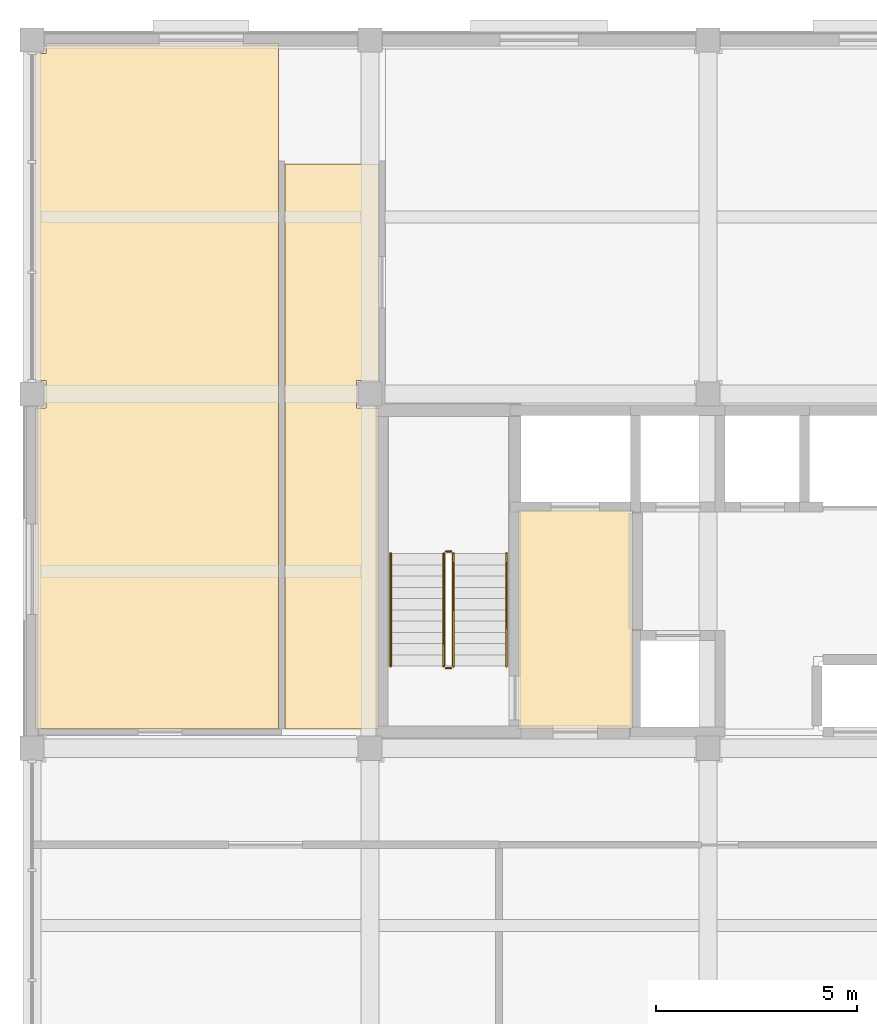
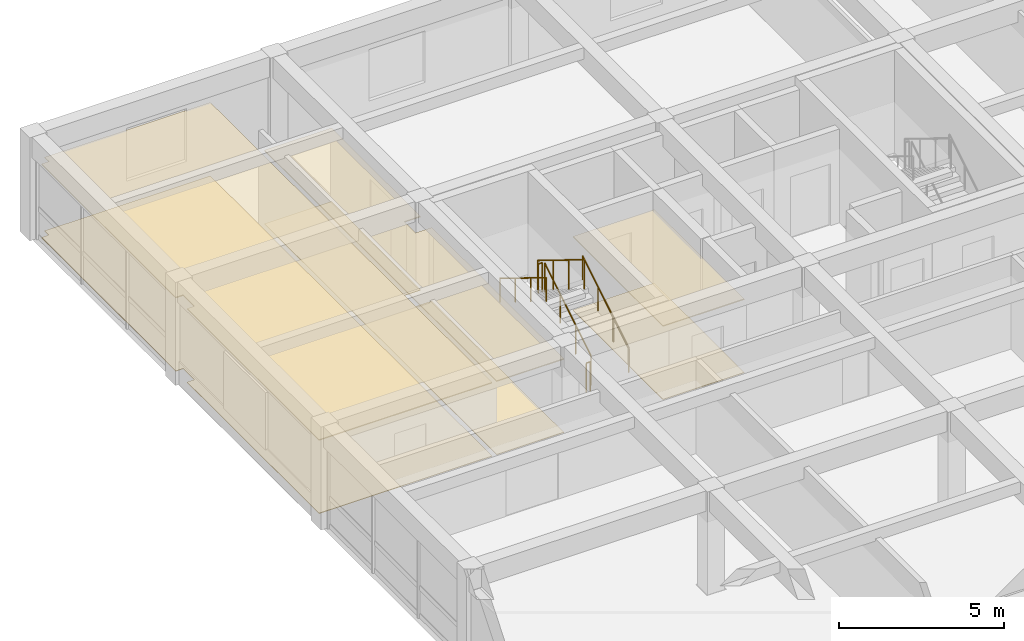
# One storey, part 10 of 12: 6 coverings, 6 railings.
"""IFC4 building model written with IfcOpenShell, lengths in metres."""

from ifc_helpers import new_model, si_unit, direction, frame, origin, origin_2d, place, context, subcontext, project, spatial, polyline, circle, outline, extrude, material, layer, layer_set, type_object, element, save


model = new_model("IFC4")

# Units and contexts
model_context = context("Model", 3, precision=1e-05, world=origin(), true_north=direction((0.0, 1.0)))
body_context = subcontext(model_context, "Body", "Model", "MODEL_VIEW")
ifc_project = project(units=[si_unit("LENGTHUNIT", "METRE"), si_unit("AREAUNIT", "SQUARE_METRE"), si_unit("VOLUMEUNIT", "CUBIC_METRE"), si_unit("PLANEANGLEUNIT", "RADIAN"), si_unit("MASSUNIT", "GRAM", prefix="KILO")], contexts=[model_context])

# Site, building, storey
site_placement = place(None, origin())
site = spatial("IfcSite", under=ifc_project, at=site_placement, CompositionType="ELEMENT")
building_placement = place(site_placement, origin())
building = spatial("IfcBuilding", under=site, at=building_placement, Name="Kemercrest Conservatory and Botanical Centre", CompositionType="ELEMENT")
storey_placement = place(building_placement, frame((0.0, 0.0, 52.199951171875)))
storey = spatial("IfcBuildingStorey", under=building, at=storey_placement, Name="L13", CompositionType="ELEMENT", Elevation=52.199951171875)

# Coverings
ifc_material_1 = material(Name="Perforated acoustic gypsum and mineral-fibre suspended ceiling", Category="gypsum")
ifc_layer_1 = layer(ifc_material_1, 0.034912109375)
ifc_layer_set_1 = layer_set([ifc_layer_1], Name="Perforated acoustic gypsum and mineral-fibre suspended ceiling")
covering_type_1 = type_object("IfcCoveringType", Name="CV-CLG035", PredefinedType="CEILING", material=ifc_layer_set_1)
covering_1_placement = place(storey_placement, frame((0.0, 0.0, 2.699951171875)))
element("IfcCovering", 1, at=covering_1_placement, inside=storey, type_object=covering_type_1, Name="Firefighting Lobby suspended acoustic ceiling", PredefinedType="CEILING", context=body_context, shape_type="SweptSolid", body=[
    extrude(outline(polyline([(154.47998046875, 105.280029296875), (157.320068359375, 105.280029296875), (157.320068359375, 110.719970703125), (154.47998046875, 110.719970703125), (154.47998046875, 105.280029296875)])), origin(), (0.0, 0.0, 1.0), 0.03515625),
])
covering_2_placement = place(storey_placement, frame((0.0, 0.0, 2.699951171875)))
element("IfcCovering", 2, at=covering_2_placement, inside=storey, type_object=covering_type_1, Name="Visiting Fellow Office suspended acoustic ceiling", PredefinedType="CEILING", context=body_context, shape_type="SweptSolid", body=[
    extrude(outline(polyline([(142.47998046875, 105.280029296875), (148.52001953125, 105.280029296875), (148.52001953125, 122.320068359375), (142.739990234375, 122.320068359375), (142.739990234375, 122.06005859375), (142.47998046875, 122.06005859375), (142.47998046875, 113.93994140625), (142.739990234375, 113.93994140625), (142.739990234375, 113.260009765625), (142.47998046875, 113.260009765625), (142.47998046875, 105.280029296875)])), origin(), (0.0, 0.0, 1.0), 0.03515625),
])
covering_3_placement = place(storey_placement, frame((0.0, 0.0, 2.699951171875)))
element("IfcCovering", 3, at=covering_3_placement, inside=storey, type_object=covering_type_1, Name="North Core Lobby Branch suspended acoustic ceiling", PredefinedType="CEILING", context=body_context, shape_type="SweptSolid", body=[
    extrude(outline(polyline([(148.679931640625, 105.280029296875), (151.02001953125, 105.280029296875), (151.02001953125, 113.260009765625), (150.4599609375, 113.260009765625), (150.4599609375, 113.93994140625), (151.02001953125, 113.93994140625), (151.02001953125, 119.320068359375), (148.679931640625, 119.320068359375), (148.679931640625, 105.280029296875)])), origin(), (0.0, 0.0, 1.0), 0.03515625),
])
ifc_material_2 = material(Name="Polished limestone terrazzo and seamless laboratory epoxy flooring", Category="masonry")
ifc_layer_2 = layer(ifc_material_2, 0.02001953125)
ifc_layer_set_2 = layer_set([ifc_layer_2], Name="Polished limestone terrazzo and seamless laboratory epoxy flooring")
covering_type_2 = type_object("IfcCoveringType", Name="CV-FLR020", PredefinedType="FLOORING", material=ifc_layer_set_2)
covering_4_placement = place(storey_placement, origin())
element("IfcCovering", 4, at=covering_4_placement, inside=storey, type_object=covering_type_2, Name="Firefighting Lobby floor finish", PredefinedType="FLOORING", context=body_context, shape_type="SweptSolid", body=[
    extrude(outline(polyline([(154.47998046875, 105.280029296875), (157.320068359375, 105.280029296875), (157.320068359375, 110.719970703125), (154.47998046875, 110.719970703125), (154.47998046875, 105.280029296875)])), origin(), (0.0, 0.0, 1.0), 0.02001953125),
])
covering_5_placement = place(storey_placement, origin())
element("IfcCovering", 5, at=covering_5_placement, inside=storey, type_object=covering_type_2, Name="Visiting Fellow Office floor finish", PredefinedType="FLOORING", context=body_context, shape_type="SweptSolid", body=[
    extrude(outline(polyline([(142.47998046875, 105.280029296875), (148.52001953125, 105.280029296875), (148.52001953125, 122.320068359375), (142.739990234375, 122.320068359375), (142.739990234375, 122.06005859375), (142.47998046875, 122.06005859375), (142.47998046875, 113.93994140625), (142.739990234375, 113.93994140625), (142.739990234375, 113.260009765625), (142.47998046875, 113.260009765625), (142.47998046875, 105.280029296875)])), origin(), (0.0, 0.0, 1.0), 0.02001953125),
])
covering_6_placement = place(storey_placement, origin())
element("IfcCovering", 6, at=covering_6_placement, inside=storey, type_object=covering_type_2, Name="North Core Lobby Branch floor finish", PredefinedType="FLOORING", context=body_context, shape_type="SweptSolid", body=[
    extrude(outline(polyline([(148.679931640625, 105.280029296875), (151.02001953125, 105.280029296875), (151.02001953125, 113.260009765625), (150.4599609375, 113.260009765625), (150.4599609375, 113.93994140625), (151.02001953125, 113.93994140625), (151.02001953125, 119.320068359375), (148.679931640625, 119.320068359375), (148.679931640625, 105.280029296875)])), origin(), (0.0, 0.0, 1.0), 0.02001953125),
])

# Railings
ifc_material_3 = material(Name="Painted galvanized steel tubular stair guardrail", Category="steel")
railing_type_1 = type_object("IfcRailingType", Name="GR-STR110", PredefinedType="GUARDRAIL", material=ifc_material_3)
railing_1_placement = place(storey_placement, frame((152.8701171875, 106.840087890625, 0.1728515625)))
element("IfcRailing", 7, at=railing_1_placement, inside=storey, type_object=railing_type_1, Name="L13 ST-V4A stair guard 1", PredefinedType="GUARDRAIL", context=body_context, shape_type="SweptSolid", body=[
    extrude(circle(Radius=0.02392578125, at=origin_2d()), frame((0.0, 0.0, 1.076171875), z_axis=(0.0, 0.851069175582, 0.525053576669), x_axis=(-1.0, 0.0, 0.0)), (0.0, 0.0, 1.0), 3.289794921875),
    extrude(circle(Radius=0.02099609375, at=origin_2d()), origin(), (0.0, 0.0, 1.0), 1.052001953125),
    extrude(circle(Radius=0.02099609375, at=origin_2d()), frame((0.0, 0.933349609375, 0.57568359375)), (0.0, 0.0, 1.0), 1.052001953125),
    extrude(circle(Radius=0.02099609375, at=origin_2d()), frame((0.0, 1.866455078125, 1.151611328125)), (0.0, 0.0, 1.0), 1.052001953125),
    extrude(circle(Radius=0.02099609375, at=origin_2d()), frame((0.0, 2.7998046875, 1.727294921875)), (0.0, 0.0, 1.0), 1.052001953125),
])
railing_2_placement = place(storey_placement, frame((152.820068359375, 109.68994140625, 1.900146484375)))
element("IfcRailing", 8, at=railing_2_placement, inside=storey, type_object=railing_type_1, Name="L13 ST-V4A stair guard 2", PredefinedType="GUARDRAIL", context=body_context, shape_type="SweptSolid", body=[
    extrude(circle(Radius=0.02392578125, at=origin_2d()), frame((0.0, 0.0, 1.076171875), z_axis=(-1.0, 0.0, 0.0), x_axis=(0.0, -1.0, 0.0)), (0.0, 0.0, 1.0), 0.14013671875),
    extrude(circle(Radius=0.02099609375, at=origin_2d()), origin(), (0.0, 0.0, 1.0), 1.052001953125),
    extrude(circle(Radius=0.02099609375, at=origin_2d()), frame((-0.14013671875, 0.0, 0.0)), (0.0, 0.0, 1.0), 1.052001953125),
])
railing_3_placement = place(storey_placement, frame((152.6298828125, 109.639892578125, 2.07275390625)))
element("IfcRailing", 9, at=railing_3_placement, inside=storey, type_object=railing_type_1, Name="L13 ST-V4A stair guard 3", PredefinedType="GUARDRAIL", context=body_context, shape_type="SweptSolid", body=[
    extrude(circle(Radius=0.02392578125, at=origin_2d()), frame((0.0, 0.0, 1.076171875), z_axis=(0.0, -0.851069175582, 0.525053576669), x_axis=(1.0, 0.0, 0.0)), (0.0, 0.0, 1.0), 3.289794921875),
    extrude(circle(Radius=0.02099609375, at=origin_2d()), origin(), (0.0, 0.0, 1.0), 1.052001953125),
    extrude(circle(Radius=0.02099609375, at=origin_2d()), frame((0.0, -0.933349609375, 0.57568359375)), (0.0, 0.0, 1.0), 1.052001953125),
    extrude(circle(Radius=0.02099609375, at=origin_2d()), frame((0.0, -1.866455078125, 1.151611328125)), (0.0, 0.0, 1.0), 1.052001953125),
    extrude(circle(Radius=0.02099609375, at=origin_2d()), frame((0.0, -2.7998046875, 1.727294921875)), (0.0, 0.0, 1.0), 1.052001953125),
])
railing_4_placement = place(storey_placement, frame((152.820068359375, 106.7900390625, 0.0)))
element("IfcRailing", 10, at=railing_4_placement, inside=storey, type_object=railing_type_1, Name="L13 ST-V4A stair guard 4", PredefinedType="GUARDRAIL", context=body_context, shape_type="SweptSolid", body=[
    extrude(circle(Radius=0.02392578125, at=origin_2d()), frame((0.0, 0.0, 1.076171875), z_axis=(-1.0, 0.0, 0.0), x_axis=(0.0, -1.0, 0.0)), (0.0, 0.0, 1.0), 0.14013671875),
    extrude(circle(Radius=0.02099609375, at=origin_2d()), origin(), (0.0, 0.0, 1.0), 1.052001953125),
    extrude(circle(Radius=0.02099609375, at=origin_2d()), frame((-0.14013671875, 0.0, 0.0)), (0.0, 0.0, 1.0), 1.052001953125),
])
ifc_material_4 = material(Name="Brushed stainless steel wall-mounted handrail", Category="steel")
railing_type_2 = type_object("IfcRailingType", Name="HR-STR090", PredefinedType="HANDRAIL", material=ifc_material_4)
railing_5_placement = place(storey_placement, frame((154.18994140625, 106.840087890625, 0.1728515625)))
element("IfcRailing", 11, at=railing_5_placement, inside=storey, type_object=railing_type_2, Name="L13 ST-V4A stair handrail 1", PredefinedType="HANDRAIL", context=body_context, shape_type="SweptSolid", body=[
    extrude(circle(Radius=0.02392578125, at=origin_2d()), frame((0.0, 0.0, 0.8759765625), z_axis=(0.0, 0.851069175582, 0.525053576669), x_axis=(-1.0, 0.0, 0.0)), (0.0, 0.0, 1.0), 3.289794921875),
    extrude(circle(Radius=0.02099609375, at=origin_2d()), origin(), (0.0, 0.0, 1.0), 0.851806640625),
    extrude(circle(Radius=0.02099609375, at=origin_2d()), frame((0.0, 0.933349609375, 0.57568359375)), (0.0, 0.0, 1.0), 0.851806640625),
    extrude(circle(Radius=0.02099609375, at=origin_2d()), frame((0.0, 1.866455078125, 1.151611328125)), (0.0, 0.0, 1.0), 0.851806640625),
    extrude(circle(Radius=0.02099609375, at=origin_2d()), frame((0.0, 2.7998046875, 1.727294921875)), (0.0, 0.0, 1.0), 0.851806640625),
])
railing_6_placement = place(storey_placement, frame((151.31005859375, 109.639892578125, 2.07275390625)))
element("IfcRailing", 12, at=railing_6_placement, inside=storey, type_object=railing_type_2, Name="L13 ST-V4A stair handrail 2", PredefinedType="HANDRAIL", context=body_context, shape_type="SweptSolid", body=[
    extrude(circle(Radius=0.02392578125, at=origin_2d()), frame((0.0, 0.0, 0.8759765625), z_axis=(0.0, -0.851069175582, 0.525053576669), x_axis=(1.0, 0.0, 0.0)), (0.0, 0.0, 1.0), 3.289794921875),
    extrude(circle(Radius=0.02099609375, at=origin_2d()), origin(), (0.0, 0.0, 1.0), 0.851806640625),
    extrude(circle(Radius=0.02099609375, at=origin_2d()), frame((0.0, -0.933349609375, 0.57568359375)), (0.0, 0.0, 1.0), 0.851806640625),
    extrude(circle(Radius=0.02099609375, at=origin_2d()), frame((0.0, -1.866455078125, 1.151611328125)), (0.0, 0.0, 1.0), 0.851806640625),
    extrude(circle(Radius=0.02099609375, at=origin_2d()), frame((0.0, -2.7998046875, 1.727294921875)), (0.0, 0.0, 1.0), 0.851806640625),
])

save(model, "model.ifc")
